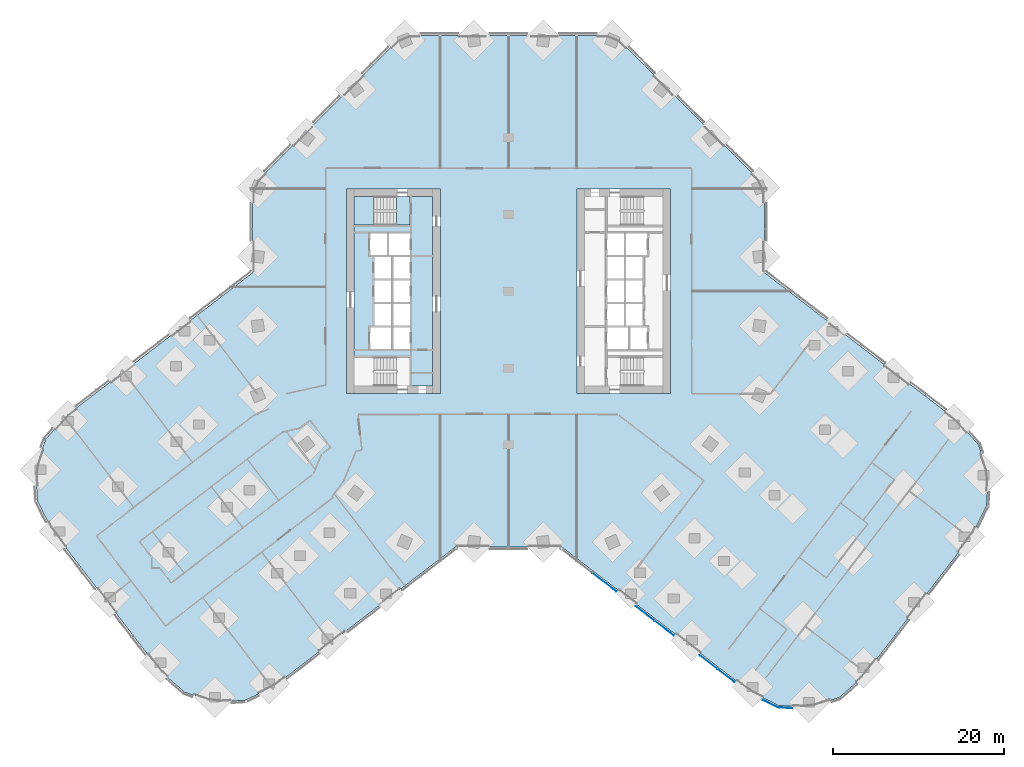
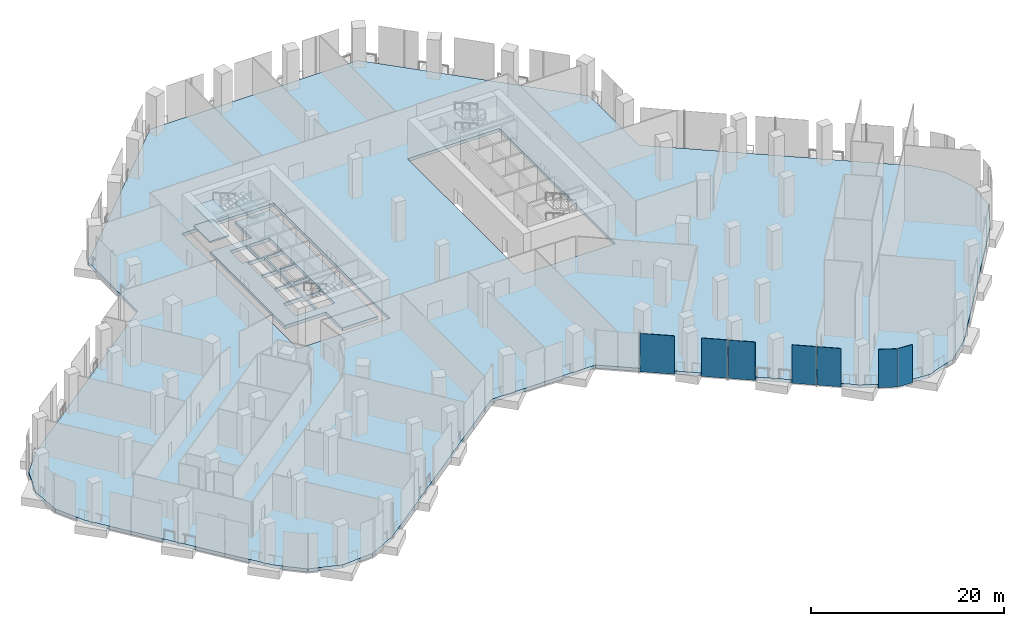
# One storey, part 15 of 27: 7 plates, 5 slabs, 4 elements without a shape of their own.
"""IFC4 building model written with IfcOpenShell, lengths in metres."""

from ifc_helpers import new_model, si_unit, direction, frame, origin, origin_2d, place, context, subcontext, project, spatial, polyline, rectangle, outline, extrude, material, layer, layer_set, type_object, element, aggregate, save


model = new_model("IFC4")

# Units and contexts
model_context = context("Model", 3, precision=1e-05, world=origin(), true_north=direction((0.0, 1.0)))
body_context = subcontext(model_context, "Body", "Model", "MODEL_VIEW")
ifc_project = project(units=[si_unit("LENGTHUNIT", "METRE"), si_unit("AREAUNIT", "SQUARE_METRE"), si_unit("VOLUMEUNIT", "CUBIC_METRE"), si_unit("PLANEANGLEUNIT", "RADIAN"), si_unit("MASSUNIT", "GRAM", prefix="KILO")], contexts=[model_context])

# Site, building, storey
site_placement = place(None, origin())
site = spatial("IfcSite", under=ifc_project, at=site_placement, CompositionType="ELEMENT")
building_placement = place(site_placement, origin())
building = spatial("IfcBuilding", under=site, at=building_placement, Name="Orlundy Tower", CompositionType="ELEMENT")
storey_placement = place(building_placement, frame((0.0, 0.0, 10.5)))
storey = spatial("IfcBuildingStorey", under=building, at=storey_placement, Name="L01", CompositionType="ELEMENT", Elevation=10.5)

# Curtain wall, plates
ifc_material_1 = material(Name="Aluminium bronze anodised", Category="aluminium")
curtain_wall_type = type_object("IfcCurtainWallType", Name="CW2 wall", PredefinedType="NOTDEFINED", material=ifc_material_1)
curtain_wall_1_placement = place(storey_placement, origin())
curtain_wall_1 = element("IfcCurtainWall", 1, at=curtain_wall_1_placement, inside=storey, type_object=curtain_wall_type, Name="CW2 run 00", PredefinedType="NOTDEFINED")
ifc_material_2 = material(Name="Tinted glass", Category="glass")
ifc_layer_1 = layer(ifc_material_2, 0.0380859375)
ifc_layer_set_1 = layer_set([ifc_layer_1], Name="CW2 glass panel 38")
plate_type = type_object("IfcPlateType", Name="CW2 glass panel 38", PredefinedType="CURTAIN_PANEL", material=ifc_layer_set_1)
plate_1_placement = place(storey_placement, frame((25.488037109375, -45.058349609375, -0.25), z_axis=(0.0, 0.0, 1.0), x_axis=(-0.793356622022, 0.60875715215, 0.0)))
plate_1 = element("IfcPlate", 2, at=plate_1_placement, type_object=plate_type, Name="CW2 panel", PredefinedType="CURTAIN_PANEL", context=body_context, shape_type="SweptSolid", body=[
    extrude(rectangle(XDim=2.5126953125, YDim=0.0380859375, at=origin_2d()), origin(), (0.0, 0.0, 1.0), 4.85009765625),
])
plate_2_placement = place(storey_placement, frame((23.431884765625, -43.48046875, -0.25), z_axis=(0.0, 0.0, 1.0), x_axis=(-0.793356622022, 0.60875715215, 0.0)))
plate_2 = element("IfcPlate", 3, at=plate_2_placement, type_object=plate_type, Name="CW2 panel", PredefinedType="CURTAIN_PANEL", context=body_context, shape_type="SweptSolid", body=[
    extrude(rectangle(XDim=2.571044921875, YDim=0.0380859375, at=origin_2d()), origin(), (0.0, 0.0, 1.0), 4.85009765625),
])
plate_3_placement = place(storey_placement, frame((18.257568359375, -39.510009765625, -0.25), z_axis=(0.0, 0.0, 1.0), x_axis=(-0.793356622022, 0.60875715215, 0.0)))
plate_3 = element("IfcPlate", 4, at=plate_3_placement, type_object=plate_type, Name="CW2 panel", PredefinedType="CURTAIN_PANEL", context=body_context, shape_type="SweptSolid", body=[
    extrude(rectangle(XDim=2.807861328125, YDim=0.0380859375, at=origin_2d()), origin(), (0.0, 0.0, 1.0), 4.85009765625),
])
plate_4_placement = place(storey_placement, frame((16.001220703125, -37.77880859375, -0.25), z_axis=(0.0, 0.0, 1.0), x_axis=(-0.793356622022, 0.60875715215, 0.0)))
plate_4 = element("IfcPlate", 5, at=plate_4_placement, type_object=plate_type, Name="CW2 panel", PredefinedType="CURTAIN_PANEL", context=body_context, shape_type="SweptSolid", body=[
    extrude(rectangle(XDim=2.7802734375, YDim=0.0380859375, at=origin_2d()), origin(), (0.0, 0.0, 1.0), 4.85009765625),
])
plate_5_placement = place(storey_placement, frame((11.226806640625, -34.115478515625, -0.25), z_axis=(0.0, 0.0, 1.0), x_axis=(-0.793356622022, 0.60875715215, 0.0)))
plate_5 = element("IfcPlate", 6, at=plate_5_placement, type_object=plate_type, Name="CW2 panel", PredefinedType="CURTAIN_PANEL", context=body_context, shape_type="SweptSolid", body=[
    extrude(rectangle(XDim=3.607177734375, YDim=0.0380859375, at=origin_2d()), origin(), (0.0, 0.0, 1.0), 4.85009765625),
])
aggregate(curtain_wall_1, [plate_1, plate_2, plate_3, plate_4, plate_5])

# Curtain wall, plate
curtain_wall_2_placement = place(storey_placement, origin())
curtain_wall_2 = element("IfcCurtainWall", 7, at=curtain_wall_2_placement, inside=storey, type_object=curtain_wall_type, Name="CW2 run 026", PredefinedType="NOTDEFINED")
plate_6_placement = place(storey_placement, frame((32.3916015625, -48.8359375, -0.25), z_axis=(0.0, 0.0, 1.0), x_axis=(-0.9978491458, 0.065552133657, 0.0)))
plate_6 = element("IfcPlate", 8, at=plate_6_placement, type_object=plate_type, Name="CW2 panel", PredefinedType="CURTAIN_PANEL", context=body_context, shape_type="SweptSolid", body=[
    extrude(rectangle(XDim=1.688720703125, YDim=0.0380859375, at=origin_2d()), origin(), (0.0, 0.0, 1.0), 4.85009765625),
])
aggregate(curtain_wall_2, [plate_6])

curtain_wall_3_placement = place(storey_placement, origin())
curtain_wall_3 = element("IfcCurtainWall", 9, at=curtain_wall_3_placement, inside=storey, type_object=curtain_wall_type, Name="CW2 run 027", PredefinedType="NOTDEFINED")
plate_7_placement = place(storey_placement, frame((30.662353515625, -48.34326171875, -0.25), z_axis=(0.0, 0.0, 1.0), x_axis=(-0.896895794801, 0.442241939743, 0.0)))
plate_7 = element("IfcPlate", 10, at=plate_7_placement, type_object=plate_type, Name="CW2 panel", PredefinedType="CURTAIN_PANEL", context=body_context, shape_type="SweptSolid", body=[
    extrude(rectangle(XDim=1.97705078125, YDim=0.0380859375, at=origin_2d()), origin(), (0.0, 0.0, 1.0), 4.85009765625),
])
aggregate(curtain_wall_3, [plate_7])

# Slab
ifc_material_3 = material(Name="Concrete C50/60", Category="concrete")
ifc_layer_2 = layer(ifc_material_3, 0.409912109375)
ifc_layer_set_2 = layer_set([ifc_layer_2], Name="Core Floor Slab 410")
slab_type_1 = type_object("IfcSlabType", Name="Core Floor Slab 410", PredefinedType="FLOOR", material=ifc_layer_set_2)
slab_1_placement = place(storey_placement, frame((0.0, 0.0, -0.409912109375)))
element("IfcSlab", 11, at=slab_1_placement, inside=storey, type_object=slab_type_1, Name="Core floor W02", PredefinedType="FLOOR", context=body_context, shape_type="SweptSolid", body=[
    extrude(outline(polyline([(-8.89990234375, -11.10009765625), (-13.14501953125, -11.10009765625), (-13.14501953125, -7.75), (-18.10009765625, -7.75), (-18.10009765625, 7.75), (-13.14501953125, 7.75), (-13.14501953125, 11.10009765625), (-8.89990234375, 11.10009765625), (-8.89990234375, -11.10009765625)]), holes=[polyline([(-11.5400390625, -6.77490234375), (-11.5400390625, -4.22509765625), (-13.5400390625, -4.22509765625), (-13.5400390625, -6.77490234375), (-11.5400390625, -6.77490234375)]), polyline([(-16.239990234375, -6.77490234375), (-13.739990234375, -6.77490234375), (-13.739990234375, -4.22509765625), (-16.239990234375, -4.22509765625), (-16.239990234375, -6.77490234375)]), polyline([(-13.5400390625, -1.47509765625), (-13.5400390625, -4.02490234375), (-11.5400390625, -4.02490234375), (-11.5400390625, -1.47509765625), (-13.5400390625, -1.47509765625)]), polyline([(-13.739990234375, -1.47509765625), (-15.739990234375, -1.47509765625), (-15.739990234375, -4.02490234375), (-13.739990234375, -4.02490234375), (-13.739990234375, -1.47509765625)]), polyline([(-11.5400390625, -1.27490234375), (-11.5400390625, 1.27490234375), (-13.5400390625, 1.27490234375), (-13.5400390625, -1.27490234375), (-11.5400390625, -1.27490234375)]), polyline([(-15.739990234375, -1.27490234375), (-13.739990234375, -1.27490234375), (-13.739990234375, 1.27490234375), (-15.739990234375, 1.27490234375), (-15.739990234375, -1.27490234375)]), polyline([(-13.5400390625, 4.02490234375), (-13.5400390625, 1.47509765625), (-11.5400390625, 1.47509765625), (-11.5400390625, 4.02490234375), (-13.5400390625, 4.02490234375)]), polyline([(-13.739990234375, 4.02490234375), (-15.739990234375, 4.02490234375), (-15.739990234375, 1.47509765625), (-13.739990234375, 1.47509765625), (-13.739990234375, 4.02490234375)]), polyline([(-11.5400390625, 4.22509765625), (-11.5400390625, 6.77490234375), (-14.0400390625, 6.77490234375), (-14.0400390625, 4.22509765625), (-11.5400390625, 4.22509765625)]), polyline([(-16.239990234375, 4.22509765625), (-14.239990234375, 4.22509765625), (-14.239990234375, 6.77490234375), (-16.239990234375, 6.77490234375), (-16.239990234375, 4.22509765625)])]), origin(), (0.0, 0.0, 1.0), 0.409912109375),
])

# Stair, slabs
ifc_material_4 = material(Name="Concrete C50/60", Category="concrete")
stair_type = type_object("IfcStairType", Name="Exit Stair 32 risers", PredefinedType="HALF_TURN_STAIR", material=ifc_material_4)
stair_placement = place(storey_placement, origin())
stair = element("IfcStair", 12, at=stair_placement, inside=storey, type_object=stair_type, Name="L01 Exit Stair ST-W1", PredefinedType="HALF_TURN_STAIR")
ifc_material_5 = material(Name="Concrete C50/60", Category="concrete")
ifc_layer_3 = layer(ifc_material_5, 0.199951171875)
ifc_layer_set_3 = layer_set([ifc_layer_3], Name="Exit Stair Landing")
slab_type_2 = type_object("IfcSlabType", Name="Exit Stair Landing", PredefinedType="LANDING", material=ifc_layer_set_3)
slab_2_placement = place(storey_placement, frame((0.0, 0.0, 1.050048828125)))
slab_2 = element("IfcSlab", 13, at=slab_2_placement, type_object=slab_type_2, Name="ST-W1 landing 1", PredefinedType="LANDING", context=body_context, shape_type="SweptSolid", body=[
    extrude(outline(polyline([(-15.800048828125, 11.10009765625), (-18.10009765625, 11.10009765625), (-18.10009765625, 7.75), (-15.800048828125, 7.75), (-15.800048828125, 11.10009765625)])), origin(), (0.0, 0.0, 1.0), 0.199951171875),
])
slab_3_placement = place(storey_placement, frame((0.0, 0.0, 2.300048828125)))
slab_3 = element("IfcSlab", 14, at=slab_3_placement, type_object=slab_type_2, Name="ST-W1 landing 2", PredefinedType="LANDING", context=body_context, shape_type="SweptSolid", body=[
    extrude(outline(polyline([(-11.5400390625, 11.10009765625), (-13.139892578125, 11.10009765625), (-13.139892578125, 7.75), (-11.5400390625, 7.75), (-11.5400390625, 11.10009765625)])), origin(), (0.0, 0.0, 1.0), 0.199951171875),
])
slab_4_placement = place(storey_placement, frame((0.0, 0.0, 3.550048828125)))
slab_4 = element("IfcSlab", 15, at=slab_4_placement, type_object=slab_type_2, Name="ST-W1 landing 3", PredefinedType="LANDING", context=body_context, shape_type="SweptSolid", body=[
    extrude(outline(polyline([(-15.800048828125, 11.10009765625), (-18.10009765625, 11.10009765625), (-18.10009765625, 7.75), (-15.800048828125, 7.75), (-15.800048828125, 11.10009765625)])), origin(), (0.0, 0.0, 1.0), 0.199951171875),
])
aggregate(stair, [slab_2, slab_3, slab_4])

# Slab
ifc_material_6 = material(Name="Concrete C45/55", Category="concrete")
ifc_layer_4 = layer(ifc_material_6, 0.39990234375)
ifc_layer_set_4 = layer_set([ifc_layer_4], Name="PODIUM FLOOR SLAB THICK 400 C45/55")
slab_type_3 = type_object("IfcSlabType", Name="PODIUM FLOOR SLAB THICK 400 C45/55", PredefinedType="FLOOR", material=ifc_layer_set_4)
slab_5_placement = place(storey_placement, frame((0.0, 0.0, -0.39990234375)))
element("IfcSlab", 16, at=slab_5_placement, inside=storey, type_object=slab_type_3, Name="Floor slab L01", PredefinedType="FLOOR", context=body_context, shape_type="SweptSolid", body=[
    extrude(outline(polyline([(6.242919921875, -30.0), (-6.242919921875, -30.0), (-27.491943359375, -46.304931640625), (-30.81689453125, -47.945068359375), (-34.51611328125, -48.18701171875), (-38.02587890625, -46.99609375), (-40.81298828125, -44.552001953125), (-53.596923828125, -27.89111328125), (-55.236083984375, -24.56689453125), (-55.47802734375, -20.867919921875), (-54.287109375, -17.35791015625), (-51.843017578125, -14.571044921875), (-30.0, 2.18994140625), (-30.0, 12.426025390625), (-12.426025390625, 30.0), (12.426025390625, 30.0), (30.0, 12.426025390625), (30.0, 2.18994140625), (52.635986328125, -15.179931640625), (55.080078125, -17.967041015625), (56.27197265625, -21.47705078125), (56.029052734375, -25.175048828125), (54.389892578125, -28.5), (41.60595703125, -45.159912109375), (38.819091796875, -47.60400390625), (35.30908203125, -48.7958984375), (31.610107421875, -48.552978515625), (28.285888671875, -46.9140625), (6.242919921875, -30.0)]), holes=[polyline([(-8.0, -12.0), (-8.0, 12.0), (-19.0, 12.0), (-19.0, -12.0), (-8.0, -12.0)]), polyline([(19.0, -12.0), (19.0, 12.0), (8.0, 12.0), (8.0, -12.0), (19.0, -12.0)])]), origin(), (0.0, 0.0, 1.0), 0.39990234375),
])

save(model, "model.ifc")
